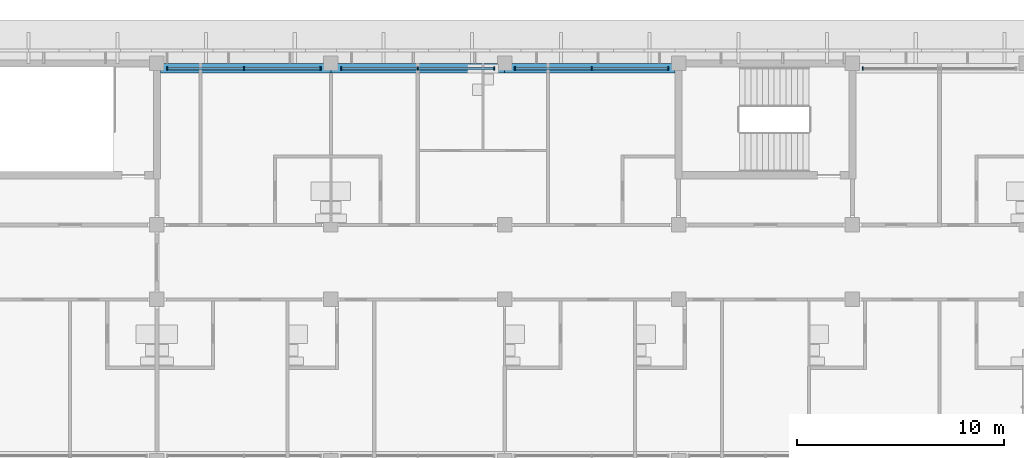
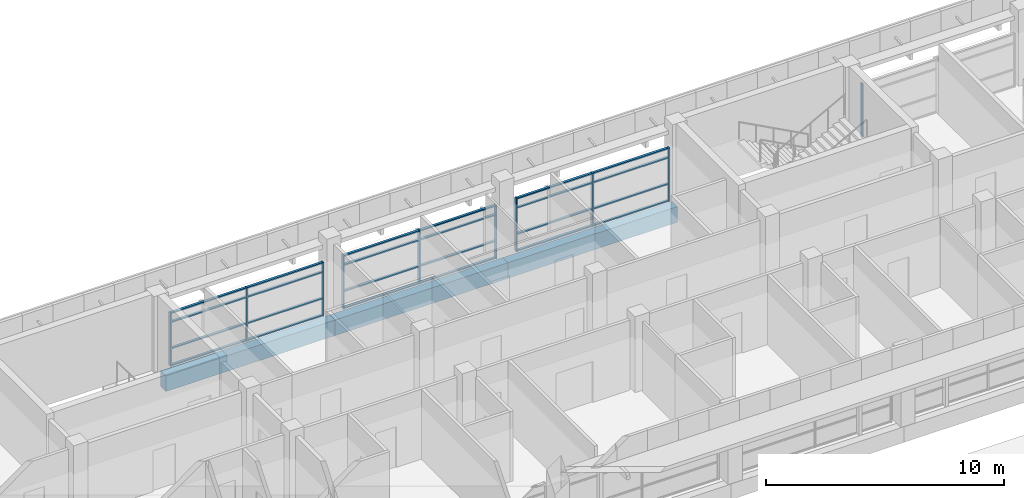
# One storey, part 8 of 36: 34 members, 3 beams, 4 elements without a shape of their own.
"""IFC4 building model written with IfcOpenShell, lengths in metres."""

from ifc_helpers import new_model, si_unit, direction, frame, origin, origin_2d, place, context, subcontext, project, spatial, rectangle, extrude, material, material_profile, profile_set, type_object, element, aggregate, save


model = new_model("IFC4")

# Units and contexts
model_context = context("Model", 3, precision=1e-05, world=origin(), true_north=direction((0.0, 1.0)))
body_context = subcontext(model_context, "Body", "Model", "MODEL_VIEW")
ifc_project = project(units=[si_unit("LENGTHUNIT", "METRE"), si_unit("AREAUNIT", "SQUARE_METRE"), si_unit("VOLUMEUNIT", "CUBIC_METRE"), si_unit("PLANEANGLEUNIT", "RADIAN"), si_unit("MASSUNIT", "GRAM", prefix="KILO")], contexts=[model_context])

# Site, building, storey
site_placement = place(None, origin())
site = spatial("IfcSite", under=ifc_project, at=site_placement, CompositionType="ELEMENT")
building_placement = place(site_placement, origin())
building = spatial("IfcBuilding", under=site, at=building_placement, Name="Bougainvillea Quay General Hospital", CompositionType="ELEMENT")
storey_placement = place(building_placement, frame((0.0, 0.0, 32.699951171875)))
storey = spatial("IfcBuildingStorey", under=building, at=storey_placement, Name="L07", CompositionType="ELEMENT", Elevation=32.699951171875)

# Curtain wall, member
ifc_material_1 = material(Name="Aluminium curtain wall system, powder-coated glazed", Category="aluminium")
curtain_wall_type = type_object("IfcCurtainWallType", Name="Unitised curtain wall CW-3730", PredefinedType="NOTDEFINED", material=ifc_material_1)
curtain_wall_1_placement = place(storey_placement, origin())
curtain_wall_1 = element("IfcCurtainWall", 1, at=curtain_wall_1_placement, inside=storey, type_object=curtain_wall_type, Name="CW-4200 03", PredefinedType="NOTDEFINED")
ifc_material_2 = material(Name="Aluminium mullion, powder-coated charcoal", Category="aluminium")
ifc_material_profile_1 = material_profile(ifc_material_2, rectangle(XDim=0.159912109375, YDim=0.06005859375, at=origin_2d()))
ifc_profile_set_1 = profile_set([ifc_material_profile_1], Name="Aluminium mullion, powder-coated charcoal")
member_type_1 = type_object("IfcMemberType", Name="Curtain wall mullion 160x60", PredefinedType="MULLION", material=ifc_profile_set_1)
member_1_placement = place(storey_placement, frame((143.300048828125, 159.35009765625, 0.0), z_axis=(0.0, 0.0, 1.0), x_axis=(0.0, -1.0, 0.0)))
member_1 = element("IfcMember", 2, at=member_1_placement, type_object=member_type_1, Name="CW-4200 mullion 3", PredefinedType="MULLION", context=body_context, shape_type="SweptSolid", body=[
    extrude(rectangle(XDim=0.159912109375, YDim=0.06005859375, at=origin_2d()), origin(), (0.0, 0.0, 1.0), 2.75),
])
aggregate(curtain_wall_1, [member_1])

# Curtain wall, members
curtain_wall_2_placement = place(storey_placement, origin())
curtain_wall_2 = element("IfcCurtainWall", 3, at=curtain_wall_2_placement, inside=storey, type_object=curtain_wall_type, Name="CW-4200 04", PredefinedType="NOTDEFINED")
member_2_placement = place(storey_placement, frame((133.89990234375, 159.35009765625, 0.0), z_axis=(0.0, 0.0, 1.0), x_axis=(0.0, -1.0, 0.0)))
member_2 = element("IfcMember", 4, at=member_2_placement, type_object=member_type_1, Name="CW-4200 mullion 1", PredefinedType="MULLION", context=body_context, shape_type="SweptSolid", body=[
    extrude(rectangle(XDim=0.159912109375, YDim=0.06005859375, at=origin_2d()), origin(), (0.0, 0.0, 1.0), 2.75),
])
member_3_placement = place(storey_placement, frame((130.199951171875, 159.35009765625, 0.0), z_axis=(0.0, 0.0, 1.0), x_axis=(0.0, -1.0, 0.0)))
member_3 = element("IfcMember", 5, at=member_3_placement, type_object=member_type_1, Name="CW-4200 mullion 2", PredefinedType="MULLION", context=body_context, shape_type="SweptSolid", body=[
    extrude(rectangle(XDim=0.159912109375, YDim=0.06005859375, at=origin_2d()), origin(), (0.0, 0.0, 1.0), 2.75),
])
member_4_placement = place(storey_placement, frame((126.5, 159.35009765625, 0.0), z_axis=(0.0, 0.0, 1.0), x_axis=(0.0, -1.0, 0.0)))
member_4 = element("IfcMember", 6, at=member_4_placement, type_object=member_type_1, Name="CW-4200 mullion 3", PredefinedType="MULLION", context=body_context, shape_type="SweptSolid", body=[
    extrude(rectangle(XDim=0.159912109375, YDim=0.06005859375, at=origin_2d()), origin(), (0.0, 0.0, 1.0), 2.75),
])

curtain_wall_3_placement = place(storey_placement, origin())
curtain_wall_3 = element("IfcCurtainWall", 7, at=curtain_wall_3_placement, inside=storey, type_object=curtain_wall_type, Name="CW-4200 05", PredefinedType="NOTDEFINED")
member_5_placement = place(storey_placement, frame((125.5, 159.35009765625, 0.0), z_axis=(0.0, 0.0, 1.0), x_axis=(0.0, -1.0, 0.0)))
member_5 = element("IfcMember", 8, at=member_5_placement, type_object=member_type_1, Name="CW-4200 mullion 1", PredefinedType="MULLION", context=body_context, shape_type="SweptSolid", body=[
    extrude(rectangle(XDim=0.159912109375, YDim=0.06005859375, at=origin_2d()), origin(), (0.0, 0.0, 1.0), 2.75),
])
member_6_placement = place(storey_placement, frame((121.800048828125, 159.35009765625, 0.0), z_axis=(0.0, 0.0, 1.0), x_axis=(0.0, -1.0, 0.0)))
member_6 = element("IfcMember", 9, at=member_6_placement, type_object=member_type_1, Name="CW-4200 mullion 2", PredefinedType="MULLION", context=body_context, shape_type="SweptSolid", body=[
    extrude(rectangle(XDim=0.159912109375, YDim=0.06005859375, at=origin_2d()), origin(), (0.0, 0.0, 1.0), 2.75),
])
member_7_placement = place(storey_placement, frame((118.10009765625, 159.35009765625, 0.0), z_axis=(0.0, 0.0, 1.0), x_axis=(0.0, -1.0, 0.0)))
member_7 = element("IfcMember", 10, at=member_7_placement, type_object=member_type_1, Name="CW-4200 mullion 3", PredefinedType="MULLION", context=body_context, shape_type="SweptSolid", body=[
    extrude(rectangle(XDim=0.159912109375, YDim=0.06005859375, at=origin_2d()), origin(), (0.0, 0.0, 1.0), 2.75),
])

curtain_wall_4_placement = place(storey_placement, origin())
curtain_wall_4 = element("IfcCurtainWall", 11, at=curtain_wall_4_placement, inside=storey, type_object=curtain_wall_type, Name="CW-4200 06", PredefinedType="NOTDEFINED")
member_8_placement = place(storey_placement, frame((117.10009765625, 159.35009765625, 0.0), z_axis=(0.0, 0.0, 1.0), x_axis=(0.0, -1.0, 0.0)))
member_8 = element("IfcMember", 12, at=member_8_placement, type_object=member_type_1, Name="CW-4200 mullion 1", PredefinedType="MULLION", context=body_context, shape_type="SweptSolid", body=[
    extrude(rectangle(XDim=0.159912109375, YDim=0.06005859375, at=origin_2d()), origin(), (0.0, 0.0, 1.0), 2.75),
])
member_9_placement = place(storey_placement, frame((113.39990234375, 159.35009765625, 0.0), z_axis=(0.0, 0.0, 1.0), x_axis=(0.0, -1.0, 0.0)))
member_9 = element("IfcMember", 13, at=member_9_placement, type_object=member_type_1, Name="CW-4200 mullion 2", PredefinedType="MULLION", context=body_context, shape_type="SweptSolid", body=[
    extrude(rectangle(XDim=0.159912109375, YDim=0.06005859375, at=origin_2d()), origin(), (0.0, 0.0, 1.0), 2.75),
])
member_10_placement = place(storey_placement, frame((109.699951171875, 159.35009765625, 0.0), z_axis=(0.0, 0.0, 1.0), x_axis=(0.0, -1.0, 0.0)))
member_10 = element("IfcMember", 14, at=member_10_placement, type_object=member_type_1, Name="CW-4200 mullion 3", PredefinedType="MULLION", context=body_context, shape_type="SweptSolid", body=[
    extrude(rectangle(XDim=0.159912109375, YDim=0.06005859375, at=origin_2d()), origin(), (0.0, 0.0, 1.0), 2.75),
])

# Member
ifc_material_3 = material(Name="Aluminium transom, powder-coated charcoal", Category="aluminium")
ifc_material_profile_2 = material_profile(ifc_material_3, rectangle(XDim=0.1201171875, YDim=0.06005859375, at=origin_2d()))
ifc_profile_set_2 = profile_set([ifc_material_profile_2], Name="Aluminium transom, powder-coated charcoal")
member_type_2 = type_object("IfcMemberType", Name="Curtain wall transom 120x60", PredefinedType="USERDEFINED", material=ifc_profile_set_2)
member_11_placement = place(storey_placement, frame((133.8701171875, 159.35009765625, 0.030029296875), z_axis=(-1.0, 0.0, 0.0), x_axis=(0.0, -1.0, 0.0)))
member_11 = element("IfcMember", 15, at=member_11_placement, type_object=member_type_2, Name="CW-4200 transom 1.1", ObjectType="TRANSOM", PredefinedType="USERDEFINED", context=body_context, shape_type="SweptSolid", body=[
    extrude(rectangle(XDim=0.1201171875, YDim=0.06005859375, at=origin_2d()), origin(), (0.0, 0.0, 1.0), 3.64013671875),
])

member_12_placement = place(storey_placement, frame((133.8701171875, 159.35009765625, 0.900146484375), z_axis=(-1.0, 0.0, 0.0), x_axis=(0.0, -1.0, 0.0)))
member_12 = element("IfcMember", 16, at=member_12_placement, type_object=member_type_2, Name="CW-4200 transom 1.2", ObjectType="TRANSOM", PredefinedType="USERDEFINED", context=body_context, shape_type="SweptSolid", body=[
    extrude(rectangle(XDim=0.1201171875, YDim=0.06005859375, at=origin_2d()), origin(), (0.0, 0.0, 1.0), 3.64013671875),
])

member_13_placement = place(storey_placement, frame((133.8701171875, 159.35009765625, 2.25), z_axis=(-1.0, 0.0, 0.0), x_axis=(0.0, -1.0, 0.0)))
member_13 = element("IfcMember", 17, at=member_13_placement, type_object=member_type_2, Name="CW-4200 transom 1.3", ObjectType="TRANSOM", PredefinedType="USERDEFINED", context=body_context, shape_type="SweptSolid", body=[
    extrude(rectangle(XDim=0.1201171875, YDim=0.06005859375, at=origin_2d()), origin(), (0.0, 0.0, 1.0), 3.64013671875),
])

member_14_placement = place(storey_placement, frame((133.8701171875, 159.35009765625, 2.719970703125), z_axis=(-1.0, 0.0, 0.0), x_axis=(0.0, -1.0, 0.0)))
member_14 = element("IfcMember", 18, at=member_14_placement, type_object=member_type_2, Name="CW-4200 transom 1.4", ObjectType="TRANSOM", PredefinedType="USERDEFINED", context=body_context, shape_type="SweptSolid", body=[
    extrude(rectangle(XDim=0.1201171875, YDim=0.06005859375, at=origin_2d()), origin(), (0.0, 0.0, 1.0), 3.64013671875),
])

member_15_placement = place(storey_placement, frame((130.169921875, 159.35009765625, 0.030029296875), z_axis=(-1.0, 0.0, 0.0), x_axis=(0.0, -1.0, 0.0)))
member_15 = element("IfcMember", 19, at=member_15_placement, type_object=member_type_2, Name="CW-4200 transom 2.1", ObjectType="TRANSOM", PredefinedType="USERDEFINED", context=body_context, shape_type="SweptSolid", body=[
    extrude(rectangle(XDim=0.1201171875, YDim=0.06005859375, at=origin_2d()), origin(), (0.0, 0.0, 1.0), 3.639892578125),
])

member_16_placement = place(storey_placement, frame((130.169921875, 159.35009765625, 0.900146484375), z_axis=(-1.0, 0.0, 0.0), x_axis=(0.0, -1.0, 0.0)))
member_16 = element("IfcMember", 20, at=member_16_placement, type_object=member_type_2, Name="CW-4200 transom 2.2", ObjectType="TRANSOM", PredefinedType="USERDEFINED", context=body_context, shape_type="SweptSolid", body=[
    extrude(rectangle(XDim=0.1201171875, YDim=0.06005859375, at=origin_2d()), origin(), (0.0, 0.0, 1.0), 3.639892578125),
])

member_17_placement = place(storey_placement, frame((130.169921875, 159.35009765625, 2.25), z_axis=(-1.0, 0.0, 0.0), x_axis=(0.0, -1.0, 0.0)))
member_17 = element("IfcMember", 21, at=member_17_placement, type_object=member_type_2, Name="CW-4200 transom 2.3", ObjectType="TRANSOM", PredefinedType="USERDEFINED", context=body_context, shape_type="SweptSolid", body=[
    extrude(rectangle(XDim=0.1201171875, YDim=0.06005859375, at=origin_2d()), origin(), (0.0, 0.0, 1.0), 3.639892578125),
])

member_18_placement = place(storey_placement, frame((130.169921875, 159.35009765625, 2.719970703125), z_axis=(-1.0, 0.0, 0.0), x_axis=(0.0, -1.0, 0.0)))
member_18 = element("IfcMember", 22, at=member_18_placement, type_object=member_type_2, Name="CW-4200 transom 2.4", ObjectType="TRANSOM", PredefinedType="USERDEFINED", context=body_context, shape_type="SweptSolid", body=[
    extrude(rectangle(XDim=0.1201171875, YDim=0.06005859375, at=origin_2d()), origin(), (0.0, 0.0, 1.0), 3.639892578125),
])

aggregate(curtain_wall_2, [member_2, member_3, member_4, member_11, member_12, member_13, member_14, member_15, member_16, member_17, member_18])

member_19_placement = place(storey_placement, frame((125.469970703125, 159.35009765625, 0.030029296875), z_axis=(-1.0, 0.0, 0.0), x_axis=(0.0, -1.0, 0.0)))
member_19 = element("IfcMember", 23, at=member_19_placement, type_object=member_type_2, Name="CW-4200 transom 1.1", ObjectType="TRANSOM", PredefinedType="USERDEFINED", context=body_context, shape_type="SweptSolid", body=[
    extrude(rectangle(XDim=0.1201171875, YDim=0.06005859375, at=origin_2d()), origin(), (0.0, 0.0, 1.0), 3.639892578125),
])

member_20_placement = place(storey_placement, frame((125.469970703125, 159.35009765625, 0.900146484375), z_axis=(-1.0, 0.0, 0.0), x_axis=(0.0, -1.0, 0.0)))
member_20 = element("IfcMember", 24, at=member_20_placement, type_object=member_type_2, Name="CW-4200 transom 1.2", ObjectType="TRANSOM", PredefinedType="USERDEFINED", context=body_context, shape_type="SweptSolid", body=[
    extrude(rectangle(XDim=0.1201171875, YDim=0.06005859375, at=origin_2d()), origin(), (0.0, 0.0, 1.0), 3.639892578125),
])

member_21_placement = place(storey_placement, frame((125.469970703125, 159.35009765625, 2.25), z_axis=(-1.0, 0.0, 0.0), x_axis=(0.0, -1.0, 0.0)))
member_21 = element("IfcMember", 25, at=member_21_placement, type_object=member_type_2, Name="CW-4200 transom 1.3", ObjectType="TRANSOM", PredefinedType="USERDEFINED", context=body_context, shape_type="SweptSolid", body=[
    extrude(rectangle(XDim=0.1201171875, YDim=0.06005859375, at=origin_2d()), origin(), (0.0, 0.0, 1.0), 3.639892578125),
])

member_22_placement = place(storey_placement, frame((125.469970703125, 159.35009765625, 2.719970703125), z_axis=(-1.0, 0.0, 0.0), x_axis=(0.0, -1.0, 0.0)))
member_22 = element("IfcMember", 26, at=member_22_placement, type_object=member_type_2, Name="CW-4200 transom 1.4", ObjectType="TRANSOM", PredefinedType="USERDEFINED", context=body_context, shape_type="SweptSolid", body=[
    extrude(rectangle(XDim=0.1201171875, YDim=0.06005859375, at=origin_2d()), origin(), (0.0, 0.0, 1.0), 3.639892578125),
])

member_23_placement = place(storey_placement, frame((121.77001953125, 159.35009765625, 0.030029296875), z_axis=(-1.0, 0.0, 0.0), x_axis=(0.0, -1.0, 0.0)))
member_23 = element("IfcMember", 27, at=member_23_placement, type_object=member_type_2, Name="CW-4200 transom 2.1", ObjectType="TRANSOM", PredefinedType="USERDEFINED", context=body_context, shape_type="SweptSolid", body=[
    extrude(rectangle(XDim=0.1201171875, YDim=0.06005859375, at=origin_2d()), origin(), (0.0, 0.0, 1.0), 3.64013671875),
])

member_24_placement = place(storey_placement, frame((121.77001953125, 159.35009765625, 0.900146484375), z_axis=(-1.0, 0.0, 0.0), x_axis=(0.0, -1.0, 0.0)))
member_24 = element("IfcMember", 28, at=member_24_placement, type_object=member_type_2, Name="CW-4200 transom 2.2", ObjectType="TRANSOM", PredefinedType="USERDEFINED", context=body_context, shape_type="SweptSolid", body=[
    extrude(rectangle(XDim=0.1201171875, YDim=0.06005859375, at=origin_2d()), origin(), (0.0, 0.0, 1.0), 3.64013671875),
])

member_25_placement = place(storey_placement, frame((121.77001953125, 159.35009765625, 2.25), z_axis=(-1.0, 0.0, 0.0), x_axis=(0.0, -1.0, 0.0)))
member_25 = element("IfcMember", 29, at=member_25_placement, type_object=member_type_2, Name="CW-4200 transom 2.3", ObjectType="TRANSOM", PredefinedType="USERDEFINED", context=body_context, shape_type="SweptSolid", body=[
    extrude(rectangle(XDim=0.1201171875, YDim=0.06005859375, at=origin_2d()), origin(), (0.0, 0.0, 1.0), 3.64013671875),
])

member_26_placement = place(storey_placement, frame((121.77001953125, 159.35009765625, 2.719970703125), z_axis=(-1.0, 0.0, 0.0), x_axis=(0.0, -1.0, 0.0)))
member_26 = element("IfcMember", 30, at=member_26_placement, type_object=member_type_2, Name="CW-4200 transom 2.4", ObjectType="TRANSOM", PredefinedType="USERDEFINED", context=body_context, shape_type="SweptSolid", body=[
    extrude(rectangle(XDim=0.1201171875, YDim=0.06005859375, at=origin_2d()), origin(), (0.0, 0.0, 1.0), 3.64013671875),
])

aggregate(curtain_wall_3, [member_5, member_6, member_7, member_19, member_20, member_21, member_22, member_23, member_24, member_25, member_26])

member_27_placement = place(storey_placement, frame((117.070068359375, 159.35009765625, 0.030029296875), z_axis=(-1.0, 0.0, 0.0), x_axis=(0.0, -1.0, 0.0)))
member_27 = element("IfcMember", 31, at=member_27_placement, type_object=member_type_2, Name="CW-4200 transom 1.1", ObjectType="TRANSOM", PredefinedType="USERDEFINED", context=body_context, shape_type="SweptSolid", body=[
    extrude(rectangle(XDim=0.1201171875, YDim=0.06005859375, at=origin_2d()), origin(), (0.0, 0.0, 1.0), 3.64013671875),
])

member_28_placement = place(storey_placement, frame((117.070068359375, 159.35009765625, 0.900146484375), z_axis=(-1.0, 0.0, 0.0), x_axis=(0.0, -1.0, 0.0)))
member_28 = element("IfcMember", 32, at=member_28_placement, type_object=member_type_2, Name="CW-4200 transom 1.2", ObjectType="TRANSOM", PredefinedType="USERDEFINED", context=body_context, shape_type="SweptSolid", body=[
    extrude(rectangle(XDim=0.1201171875, YDim=0.06005859375, at=origin_2d()), origin(), (0.0, 0.0, 1.0), 3.64013671875),
])

member_29_placement = place(storey_placement, frame((117.070068359375, 159.35009765625, 2.25), z_axis=(-1.0, 0.0, 0.0), x_axis=(0.0, -1.0, 0.0)))
member_29 = element("IfcMember", 33, at=member_29_placement, type_object=member_type_2, Name="CW-4200 transom 1.3", ObjectType="TRANSOM", PredefinedType="USERDEFINED", context=body_context, shape_type="SweptSolid", body=[
    extrude(rectangle(XDim=0.1201171875, YDim=0.06005859375, at=origin_2d()), origin(), (0.0, 0.0, 1.0), 3.64013671875),
])

member_30_placement = place(storey_placement, frame((117.070068359375, 159.35009765625, 2.719970703125), z_axis=(-1.0, 0.0, 0.0), x_axis=(0.0, -1.0, 0.0)))
member_30 = element("IfcMember", 34, at=member_30_placement, type_object=member_type_2, Name="CW-4200 transom 1.4", ObjectType="TRANSOM", PredefinedType="USERDEFINED", context=body_context, shape_type="SweptSolid", body=[
    extrude(rectangle(XDim=0.1201171875, YDim=0.06005859375, at=origin_2d()), origin(), (0.0, 0.0, 1.0), 3.64013671875),
])

member_31_placement = place(storey_placement, frame((113.3701171875, 159.35009765625, 0.030029296875), z_axis=(-1.0, 0.0, 0.0), x_axis=(0.0, -1.0, 0.0)))
member_31 = element("IfcMember", 35, at=member_31_placement, type_object=member_type_2, Name="CW-4200 transom 2.1", ObjectType="TRANSOM", PredefinedType="USERDEFINED", context=body_context, shape_type="SweptSolid", body=[
    extrude(rectangle(XDim=0.1201171875, YDim=0.06005859375, at=origin_2d()), origin(), (0.0, 0.0, 1.0), 3.64013671875),
])

member_32_placement = place(storey_placement, frame((113.3701171875, 159.35009765625, 0.900146484375), z_axis=(-1.0, 0.0, 0.0), x_axis=(0.0, -1.0, 0.0)))
member_32 = element("IfcMember", 36, at=member_32_placement, type_object=member_type_2, Name="CW-4200 transom 2.2", ObjectType="TRANSOM", PredefinedType="USERDEFINED", context=body_context, shape_type="SweptSolid", body=[
    extrude(rectangle(XDim=0.1201171875, YDim=0.06005859375, at=origin_2d()), origin(), (0.0, 0.0, 1.0), 3.64013671875),
])

member_33_placement = place(storey_placement, frame((113.3701171875, 159.35009765625, 2.25), z_axis=(-1.0, 0.0, 0.0), x_axis=(0.0, -1.0, 0.0)))
member_33 = element("IfcMember", 37, at=member_33_placement, type_object=member_type_2, Name="CW-4200 transom 2.3", ObjectType="TRANSOM", PredefinedType="USERDEFINED", context=body_context, shape_type="SweptSolid", body=[
    extrude(rectangle(XDim=0.1201171875, YDim=0.06005859375, at=origin_2d()), origin(), (0.0, 0.0, 1.0), 3.64013671875),
])

member_34_placement = place(storey_placement, frame((113.3701171875, 159.35009765625, 2.719970703125), z_axis=(-1.0, 0.0, 0.0), x_axis=(0.0, -1.0, 0.0)))
member_34 = element("IfcMember", 38, at=member_34_placement, type_object=member_type_2, Name="CW-4200 transom 2.4", ObjectType="TRANSOM", PredefinedType="USERDEFINED", context=body_context, shape_type="SweptSolid", body=[
    extrude(rectangle(XDim=0.1201171875, YDim=0.06005859375, at=origin_2d()), origin(), (0.0, 0.0, 1.0), 3.64013671875),
])

aggregate(curtain_wall_4, [member_8, member_9, member_10, member_27, member_28, member_29, member_30, member_31, member_32, member_33, member_34])

# Beams
ifc_material_4 = material(Name="Concrete C40", Category="concrete")
ifc_material_profile_3 = material_profile(ifc_material_4, rectangle(XDim=0.449951171875, YDim=0.800048828125, at=origin_2d()))
ifc_profile_set_3 = profile_set([ifc_material_profile_3], Name="Concrete C40")
beam_type = type_object("IfcBeamType", Name="RC BEAM 450x800 C40", PredefinedType="BEAM", material=ifc_profile_set_3)
beam_1_placement = place(storey_placement, frame((134.22509765625, 159.375, -0.699951171875), z_axis=(-1.0, 0.0, 0.0), x_axis=(0.0, -1.0, 0.0)))
element("IfcBeam", 39, at=beam_1_placement, inside=storey, type_object=beam_type, Name="Edge beam L07", PredefinedType="BEAM", context=body_context, shape_type="SweptSolid", body=[
    extrude(rectangle(XDim=0.449951171875, YDim=0.800048828125, at=origin_2d()), origin(), (0.0, 0.0, 1.0), 8.22509765625),
])
beam_2_placement = place(storey_placement, frame((126.0, 159.375, -0.699951171875), z_axis=(-1.0, 0.0, 0.0), x_axis=(0.0, -1.0, 0.0)))
element("IfcBeam", 40, at=beam_2_placement, inside=storey, type_object=beam_type, Name="Edge beam L07", PredefinedType="BEAM", context=body_context, shape_type="SweptSolid", body=[
    extrude(rectangle(XDim=0.449951171875, YDim=0.800048828125, at=origin_2d()), origin(), (0.0, 0.0, 1.0), 8.39990234375),
])
beam_3_placement = place(storey_placement, frame((117.60009765625, 159.375, -0.699951171875), z_axis=(-1.0, 0.0, 0.0), x_axis=(0.0, -1.0, 0.0)))
element("IfcBeam", 41, at=beam_3_placement, inside=storey, type_object=beam_type, Name="Edge beam L07", PredefinedType="BEAM", context=body_context, shape_type="SweptSolid", body=[
    extrude(rectangle(XDim=0.449951171875, YDim=0.800048828125, at=origin_2d()), origin(), (0.0, 0.0, 1.0), 8.22509765625),
])

save(model, "model.ifc")
